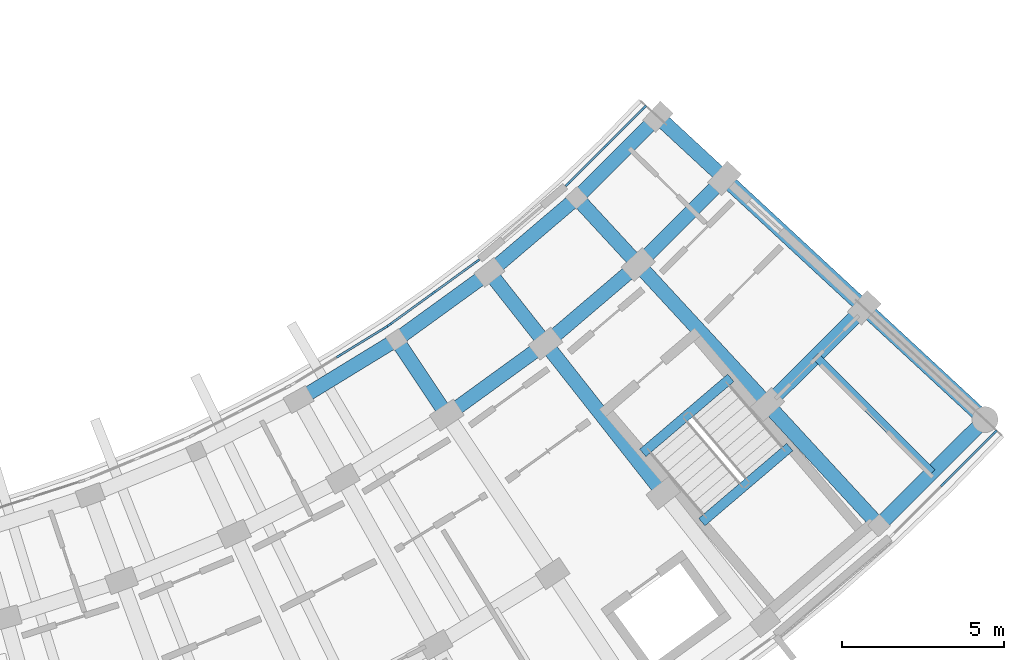
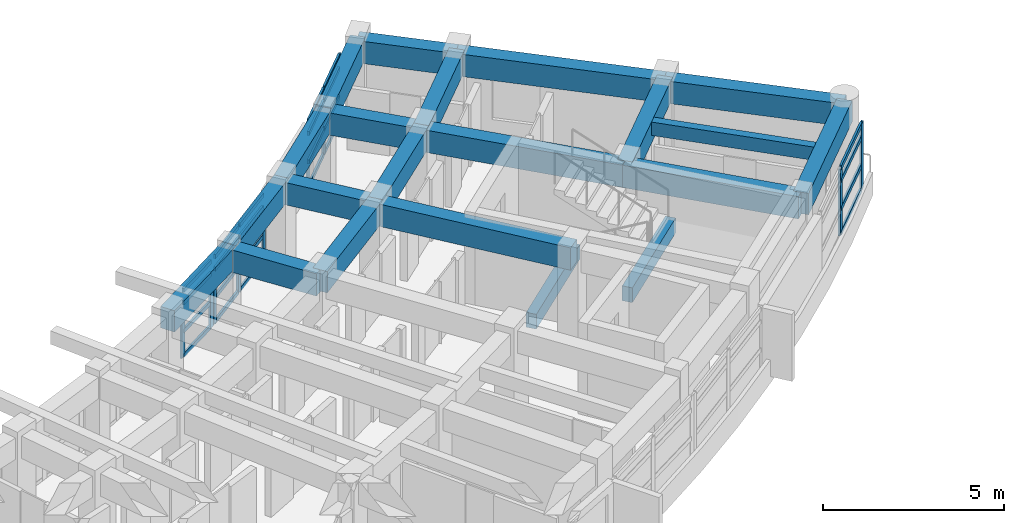
# One storey, part 30 of 70: 34 members, 21 beams, 4 elements without a shape of their own.
"""IFC4 building model written with IfcOpenShell, lengths in metres."""

from ifc_helpers import new_model, si_unit, direction, frame, origin, origin_2d, place, context, subcontext, project, spatial, rectangle, extrude, material, material_profile, profile_set, type_object, element, aggregate, save


model = new_model("IFC4")

# Units and contexts
model_context = context("Model", 3, precision=1e-05, world=origin(), true_north=direction((0.0, 1.0)))
body_context = subcontext(model_context, "Body", "Model", "MODEL_VIEW")
ifc_project = project(units=[si_unit("LENGTHUNIT", "METRE"), si_unit("AREAUNIT", "SQUARE_METRE"), si_unit("VOLUMEUNIT", "CUBIC_METRE"), si_unit("PLANEANGLEUNIT", "RADIAN"), si_unit("MASSUNIT", "GRAM", prefix="KILO")], contexts=[model_context])

# Site, building, storey
site_placement = place(None, origin())
site = spatial("IfcSite", under=ifc_project, at=site_placement, CompositionType="ELEMENT")
building_placement = place(site_placement, origin())
building = spatial("IfcBuilding", under=site, at=building_placement, Name="Zimvara Arc Housing Community", CompositionType="ELEMENT")
storey_placement = place(building_placement, frame((0.0, 0.0, 8.10009765625)))
storey = spatial("IfcBuildingStorey", under=building, at=storey_placement, Name="L02", CompositionType="ELEMENT", Elevation=8.10009765625)

# Beams
ifc_material_1 = material(Name="Concrete C40/50", Category="concrete")
ifc_material_profile_1 = material_profile(ifc_material_1, rectangle(XDim=0.25, YDim=0.449951171875, at=origin_2d()), Name="RC 250x450")
ifc_profile_set_1 = profile_set([ifc_material_profile_1], Name="Concrete C40/50")
beam_type_1 = type_object("IfcBeamType", Name="BM-RC-250x450", PredefinedType="JOIST", material=ifc_profile_set_1)
beam_1_placement = place(storey_placement, frame((163.959716796875, 71.813720703125, 2.65478515625), z_axis=(0.706529394337, -0.707683696956, 0.0), x_axis=(0.707683696956, 0.706529394337, 0.0)))
element("IfcBeam", 1, at=beam_1_placement, inside=storey, type_object=beam_type_1, Name="bm:blkD:L02:joist:b9", PredefinedType="JOIST", context=body_context, shape_type="SweptSolid", body=[
    extrude(rectangle(XDim=0.25, YDim=0.449951171875, at=origin_2d()), origin(), (0.0, 0.0, 1.0), 5.076171875),
])
ifc_material_2 = material(Name="Concrete C40/50", Category="concrete")
ifc_material_profile_2 = material_profile(ifc_material_2, rectangle(XDim=0.300048828125, YDim=0.5, at=origin_2d()), Name="RC 300x500")
ifc_profile_set_2 = profile_set([ifc_material_profile_2], Name="Concrete C40/50")
beam_type_2 = type_object("IfcBeamType", Name="BM-RC-300x500", PredefinedType="BEAM", material=ifc_profile_set_2)
for number, where, z_axis, x_axis, name in (
    (2, (158.617919921875, 68.826904296875, -0.25), (0.760986863652, 0.648767287515, 0.0), (-0.648767287515, 0.760986863652, 0.0), "bm:stair_trim:ST-D2:L02:near"),
    (3, (160.439697265625, 66.690185546875, 1.2998046875), (0.760986863652, 0.648767287515, 0.0), (-0.648767287515, 0.760986863652, 0.0), "bm:stair_trim:ST-D2:L02:mid"),
):
    element("IfcBeam", number, at=place(storey_placement, frame(where, z_axis=z_axis, x_axis=x_axis)), inside=storey, type_object=beam_type_2, Name=name, PredefinedType="BEAM", context=body_context, shape_type="SweptSolid", body=[
        extrude(rectangle(XDim=0.300048828125, YDim=0.5, at=origin_2d()), origin(), (0.0, 0.0, 1.0), 3.570068359375),
    ])
ifc_material_3 = material(Name="Concrete C40/50", Category="concrete")
ifc_material_profile_3 = material_profile(ifc_material_3, rectangle(XDim=0.43994140625, YDim=0.719970703125, at=origin_2d()), Name="RC 440x720")
ifc_profile_set_3 = profile_set([ifc_material_profile_3], Name="Concrete C40/50")
beam_type_3 = type_object("IfcBeamType", Name="BM-RC-440x720", PredefinedType="BEAM", material=ifc_profile_set_3)
beam_2_placement = place(storey_placement, frame((147.9921875, 70.473876953125, 2.52001953125), z_axis=(0.853114855616, 0.52172314797, 0.0), x_axis=(-0.52172314797, 0.853114855616, 0.0)))
element("IfcBeam", 4, at=beam_2_placement, inside=storey, type_object=beam_type_3, Name="bm:blkD:L02:chord:r0:b6", PredefinedType="BEAM", context=body_context, shape_type="SweptSolid", body=[
    extrude(rectangle(XDim=0.43994140625, YDim=0.719970703125, at=origin_2d()), origin(), (0.0, 0.0, 1.0), 3.54296875),
])
beam_3_placement = place(storey_placement, frame((151.0146484375, 72.322265625, 2.52001953125), z_axis=(0.809531019898, 0.587077105517, 0.0), x_axis=(-0.587077105517, 0.809531019898, 0.0)))
element("IfcBeam", 5, at=beam_3_placement, inside=storey, type_object=beam_type_3, Name="bm:blkD:L02:chord:r0:b7", PredefinedType="BEAM", context=body_context, shape_type="SweptSolid", body=[
    extrude(rectangle(XDim=0.43994140625, YDim=0.719970703125, at=origin_2d()), origin(), (0.0, 0.0, 1.0), 3.542724609375),
])
beam_4_placement = place(storey_placement, frame((153.882568359375, 74.402099609375, 2.52001953125), z_axis=(0.760971029961, 0.648785859556, 0.0), x_axis=(-0.648785859556, 0.760971029961, 0.0)))
element("IfcBeam", 6, at=beam_4_placement, inside=storey, type_object=beam_type_3, Name="bm:blkD:L02:chord:r0:b8", PredefinedType="BEAM", context=body_context, shape_type="SweptSolid", body=[
    extrude(rectangle(XDim=0.43994140625, YDim=0.719970703125, at=origin_2d()), origin(), (0.0, 0.0, 1.0), 3.54296875),
])
beam_5_placement = place(storey_placement, frame((156.57861328125, 76.70068359375, 2.52001953125), z_axis=(0.70772671761, 0.706486300773, 0.0), x_axis=(-0.706486300773, 0.70772671761, 0.0)))
element("IfcBeam", 7, at=beam_5_placement, inside=storey, type_object=beam_type_3, Name="bm:blkD:L02:chord:r0:b9", PredefinedType="BEAM", context=body_context, shape_type="SweptSolid", body=[
    extrude(rectangle(XDim=0.43994140625, YDim=0.719970703125, at=origin_2d()), origin(), (0.0, 0.0, 1.0), 3.542724609375),
])
for number, where, z_axis, x_axis, name in (
    (8, (152.568115234375, 69.99267578125, 2.52001953125), (0.809521012702, 0.58709090437, 0.0), (-0.58709090437, 0.809521012702, 0.0), "bm:blkD:L02:chord:r1:b7"),
    (9, (155.614013671875, 72.20166015625, 2.52001953125), (0.760971502801, 0.648785304955, 0.0), (-0.648785304955, 0.760971502801, 0.0), "bm:blkD:L02:chord:r1:b8"),
):
    element("IfcBeam", number, at=place(storey_placement, frame(where, z_axis=z_axis, x_axis=x_axis)), inside=storey, type_object=beam_type_3, Name=name, PredefinedType="BEAM", context=body_context, shape_type="SweptSolid", body=[
        extrude(rectangle(XDim=0.43994140625, YDim=0.719970703125, at=origin_2d()), origin(), (0.0, 0.0, 1.0), 3.7626953125),
    ])
beam_6_placement = place(storey_placement, frame((158.477294921875, 74.642822265625, 2.52001953125), z_axis=(0.707722882862, 0.706490142234, 0.0), x_axis=(-0.706490142234, 0.707722882862, 0.0)))
element("IfcBeam", 10, at=beam_6_placement, inside=storey, type_object=beam_type_3, Name="bm:blkD:L02:chord:r1:b9", PredefinedType="BEAM", context=body_context, shape_type="SweptSolid", body=[
    extrude(rectangle(XDim=0.43994140625, YDim=0.719970703125, at=origin_2d()), origin(), (0.0, 0.0, 1.0), 3.762939453125),
])
beam_7_placement = place(storey_placement, frame((162.465087890625, 70.321533203125, 2.52001953125), z_axis=(0.707684482516, 0.706528607493, 0.0), x_axis=(-0.706528607493, 0.707684482516, 0.0)))
element("IfcBeam", 11, at=beam_7_placement, inside=storey, type_object=beam_type_3, Name="bm:blkD:L02:chord:r2:b9", PredefinedType="BEAM", context=body_context, shape_type="SweptSolid", body=[
    extrude(rectangle(XDim=0.43994140625, YDim=0.719970703125, at=origin_2d()), origin(), (0.0, 0.0, 1.0), 4.224365234375),
])
beam_8_placement = place(storey_placement, frame((165.91015625, 66.588134765625, 2.52001953125), z_axis=(0.707713796096, 0.706499244738, 0.0), x_axis=(-0.706499244738, 0.707713796096, 0.0)))
element("IfcBeam", 12, at=beam_8_placement, inside=storey, type_object=beam_type_3, Name="bm:blkD:L02:chord:r3:b9", PredefinedType="BEAM", context=body_context, shape_type="SweptSolid", body=[
    extrude(rectangle(XDim=0.43994140625, YDim=0.719970703125, at=origin_2d()), origin(), (0.0, 0.0, 1.0), 4.623291015625),
])
ifc_material_4 = material(Name="Concrete C40/50", Category="concrete")
ifc_material_profile_4 = material_profile(ifc_material_4, rectangle(XDim=0.449951171875, YDim=0.75, at=origin_2d()), Name="RC 450x750")
ifc_profile_set_4 = profile_set([ifc_material_profile_4], Name="Concrete C40/50")
beam_type_4 = type_object("IfcBeamType", Name="BM-RC-450x750", PredefinedType="BEAM", material=ifc_profile_set_4)
for number, where, z_axis, x_axis, name in (
    (13, (151.0146484375, 72.322265625, 2.5048828125), (0.55480079798, -0.831983217716, 0.0), (0.831983217716, 0.55480079798, 0.0), "bm:blkD:L02:rad:b7:r01"),
    (14, (153.882568359375, 74.402099609375, 2.5048828125), (0.618379767762, -0.785879420028, 0.0), (0.785879420028, 0.618379767762, 0.0), "bm:blkD:L02:rad:b8:r01"),
):
    element("IfcBeam", number, at=place(storey_placement, frame(where, z_axis=z_axis, x_axis=x_axis)), inside=storey, type_object=beam_type_4, Name=name, PredefinedType="BEAM", context=body_context, shape_type="SweptSolid", body=[
        extrude(rectangle(XDim=0.449951171875, YDim=0.75, at=origin_2d()), origin(), (0.0, 0.0, 1.0), 2.800048828125),
    ])
beam_9_placement = place(storey_placement, frame((155.614013671875, 72.20166015625, 2.5048828125), z_axis=(0.618431976389, -0.785838336161, 0.0), x_axis=(0.785838336161, 0.618431976389, 0.0)))
element("IfcBeam", 15, at=beam_9_placement, inside=storey, type_object=beam_type_4, Name="bm:blkD:L02:rad:b8:r12", PredefinedType="BEAM", context=body_context, shape_type="SweptSolid", body=[
    extrude(rectangle(XDim=0.449951171875, YDim=0.75, at=origin_2d()), origin(), (0.0, 0.0, 1.0), 5.880126953125),
])
beam_10_placement = place(storey_placement, frame((156.57861328125, 76.70068359375, 2.5048828125), z_axis=(0.678109874626, -0.734960541754, 0.0), x_axis=(0.734960541754, 0.678109874626, 0.0)))
element("IfcBeam", 16, at=beam_10_placement, inside=storey, type_object=beam_type_4, Name="bm:blkD:L02:rad:b9:r01", PredefinedType="BEAM", context=body_context, shape_type="SweptSolid", body=[
    extrude(rectangle(XDim=0.449951171875, YDim=0.75, at=origin_2d()), origin(), (0.0, 0.0, 1.0), 2.800048828125),
])
beam_11_placement = place(storey_placement, frame((158.477294921875, 74.642822265625, 2.5048828125), z_axis=(0.678180078146, -0.734895762409, 0.0), x_axis=(0.734895762409, 0.678180078146, 0.0)))
element("IfcBeam", 17, at=beam_11_placement, inside=storey, type_object=beam_type_4, Name="bm:blkD:L02:rad:b9:r12", PredefinedType="BEAM", context=body_context, shape_type="SweptSolid", body=[
    extrude(rectangle(XDim=0.449951171875, YDim=0.75, at=origin_2d()), origin(), (0.0, 0.0, 1.0), 5.880126953125),
])
beam_12_placement = place(storey_placement, frame((162.465087890625, 70.321533203125, 2.5048828125), z_axis=(0.678158334116, -0.734915827744, 0.0), x_axis=(0.734915827744, 0.678158334116, 0.0)))
element("IfcBeam", 18, at=beam_12_placement, inside=storey, type_object=beam_type_4, Name="bm:blkD:L02:rad:b9:r23", PredefinedType="BEAM", context=body_context, shape_type="SweptSolid", body=[
    extrude(rectangle(XDim=0.449951171875, YDim=0.75, at=origin_2d()), origin(), (0.0, 0.0, 1.0), 5.080078125),
])
beam_13_placement = place(storey_placement, frame((159.0859375, 79.20361328125, 2.5048828125), z_axis=(0.733746184278, -0.679423680083, 0.0), x_axis=(0.679423680083, 0.733746184278, 0.0)))
element("IfcBeam", 19, at=beam_13_placement, inside=storey, type_object=beam_type_4, Name="bm:blkD:L02:rad:b10:r01", PredefinedType="BEAM", context=body_context, shape_type="SweptSolid", body=[
    extrude(rectangle(XDim=0.449951171875, YDim=0.75, at=origin_2d()), origin(), (0.0, 0.0, 1.0), 2.800048828125),
])
beam_14_placement = place(storey_placement, frame((161.140380859375, 77.30126953125, 2.5048828125), z_axis=(0.733720040868, -0.679451912668, 0.0), x_axis=(0.679451912668, 0.733720040868, 0.0)))
element("IfcBeam", 20, at=beam_14_placement, inside=storey, type_object=beam_type_4, Name="bm:blkD:L02:rad:b10:r12", PredefinedType="BEAM", context=body_context, shape_type="SweptSolid", body=[
    extrude(rectangle(XDim=0.449951171875, YDim=0.75, at=origin_2d()), origin(), (0.0, 0.0, 1.0), 5.8798828125),
])
beam_15_placement = place(storey_placement, frame((165.45458984375, 73.30615234375, 2.5048828125), z_axis=(0.733737603291, -0.679432947035, 0.0), x_axis=(0.679432947035, 0.733737603291, 0.0)))
element("IfcBeam", 21, at=beam_15_placement, inside=storey, type_object=beam_type_4, Name="bm:blkD:L02:rad:b10:r23", PredefinedType="BEAM", context=body_context, shape_type="SweptSolid", body=[
    extrude(rectangle(XDim=0.449951171875, YDim=0.75, at=origin_2d()), origin(), (0.0, 0.0, 1.0), 5.080322265625),
])

# Curtain wall, members
ifc_material_5 = material(Name="Anodised Aluminium AW-6063", Category="aluminium")
curtain_wall_type_1 = type_object("IfcCurtainWallType", Name="CW-SYS-06", PredefinedType="USERDEFINED", material=ifc_material_5)
curtain_wall_1_placement = place(storey_placement, origin())
curtain_wall_1 = element("IfcCurtainWall", 22, at=curtain_wall_1_placement, inside=storey, type_object=curtain_wall_type_1, Name="cw:blkD:L02:in:b6", ObjectType="CURTAIN WALL", PredefinedType="USERDEFINED")
ifc_material_6 = material(Name="Anodised Aluminium AW-6063", Category="aluminium")
ifc_material_profile_5 = material_profile(ifc_material_6, rectangle(XDim=0.06494140625, YDim=0.179931640625, at=origin_2d()), Name="ALU 65x180")
ifc_profile_set_5 = profile_set([ifc_material_profile_5], Name="Anodised Aluminium AW-6063")
member_type_1 = type_object("IfcMemberType", Name="CWM-65x150", PredefinedType="MULLION", material=ifc_profile_set_5)
member_1_placement = place(storey_placement, frame((149.24267578125, 71.82421875, 0.0), z_axis=(0.0, 0.0, 1.0), x_axis=(-0.521754224526, 0.853095849943, 0.0)))
member_1 = element("IfcMember", 23, at=member_1_placement, type_object=member_type_1, Name="CW06 mullion 2", PredefinedType="MULLION", context=body_context, shape_type="SweptSolid", body=[
    extrude(rectangle(XDim=0.06494140625, YDim=0.179931640625, at=origin_2d()), origin(), (0.0, 0.0, 1.0), 2.25),
])
member_2_placement = place(storey_placement, frame((150.658203125, 72.68994140625, 0.0), z_axis=(0.0, 0.0, 1.0), x_axis=(-0.521754224526, 0.853095849943, 0.0)))
member_2 = element("IfcMember", 24, at=member_2_placement, type_object=member_type_1, Name="CW06 mullion 3", PredefinedType="MULLION", context=body_context, shape_type="SweptSolid", body=[
    extrude(rectangle(XDim=0.06494140625, YDim=0.179931640625, at=origin_2d()), origin(), (0.0, 0.0, 1.0), 2.25),
])

ifc_material_7 = material(Name="Anodised Aluminium AW-6063", Category="aluminium")
curtain_wall_type_2 = type_object("IfcCurtainWallType", Name="CW-SYS-08", PredefinedType="USERDEFINED", material=ifc_material_7)
curtain_wall_2_placement = place(storey_placement, origin())
curtain_wall_2 = element("IfcCurtainWall", 25, at=curtain_wall_2_placement, inside=storey, type_object=curtain_wall_type_2, Name="cw:blkD:L02:in:b7", ObjectType="CURTAIN WALL", PredefinedType="USERDEFINED")
member_3_placement = place(storey_placement, frame((150.81201171875, 72.79248046875, 0.0), z_axis=(0.0, 0.0, 1.0), x_axis=(-0.587079343755, 0.809529396709, 0.0)))
member_3 = element("IfcMember", 26, at=member_3_placement, type_object=member_type_1, Name="CW08 mullion 1", PredefinedType="MULLION", context=body_context, shape_type="SweptSolid", body=[
    extrude(rectangle(XDim=0.06494140625, YDim=0.179931640625, at=origin_2d()), origin(), (0.0, 0.0, 1.0), 2.25),
])
member_4_placement = place(storey_placement, frame((152.1552734375, 73.7666015625, 0.0), z_axis=(0.0, 0.0, 1.0), x_axis=(-0.587079343755, 0.809529396709, 0.0)))
member_4 = element("IfcMember", 27, at=member_4_placement, type_object=member_type_1, Name="CW08 mullion 2", PredefinedType="MULLION", context=body_context, shape_type="SweptSolid", body=[
    extrude(rectangle(XDim=0.06494140625, YDim=0.179931640625, at=origin_2d()), origin(), (0.0, 0.0, 1.0), 2.25),
])
member_5_placement = place(storey_placement, frame((153.49853515625, 74.74072265625, 0.0), z_axis=(0.0, 0.0, 1.0), x_axis=(-0.587079343755, 0.809529396709, 0.0)))
member_5 = element("IfcMember", 28, at=member_5_placement, type_object=member_type_1, Name="CW08 mullion 3", PredefinedType="MULLION", context=body_context, shape_type="SweptSolid", body=[
    extrude(rectangle(XDim=0.06494140625, YDim=0.179931640625, at=origin_2d()), origin(), (0.0, 0.0, 1.0), 2.25),
])

ifc_material_8 = material(Name="Anodised Aluminium AW-6063", Category="aluminium")
curtain_wall_type_3 = type_object("IfcCurtainWallType", Name="CW-SYS-02", PredefinedType="USERDEFINED", material=ifc_material_8)
curtain_wall_3_placement = place(storey_placement, origin())
curtain_wall_3 = element("IfcCurtainWall", 29, at=curtain_wall_3_placement, inside=storey, type_object=curtain_wall_type_3, Name="cw:blkD:L02:in:b9", ObjectType="CURTAIN WALL", PredefinedType="USERDEFINED")
member_6_placement = place(storey_placement, frame((156.304931640625, 77.133544921875, 0.0), z_axis=(0.0, 0.0, 1.0), x_axis=(-0.706490294632, 0.707722730729, 0.0)))
member_6 = element("IfcMember", 30, at=member_6_placement, type_object=member_type_1, Name="CW02 mullion 1", PredefinedType="MULLION", context=body_context, shape_type="SweptSolid", body=[
    extrude(rectangle(XDim=0.06494140625, YDim=0.179931640625, at=origin_2d()), origin(), (0.0, 0.0, 1.0), 2.25),
])
member_7_placement = place(storey_placement, frame((157.479248046875, 78.3056640625, 0.0), z_axis=(0.0, 0.0, 1.0), x_axis=(-0.706490294632, 0.707722730729, 0.0)))
member_7 = element("IfcMember", 31, at=member_7_placement, type_object=member_type_1, Name="CW02 mullion 2", PredefinedType="MULLION", context=body_context, shape_type="SweptSolid", body=[
    extrude(rectangle(XDim=0.06494140625, YDim=0.179931640625, at=origin_2d()), origin(), (0.0, 0.0, 1.0), 2.25),
])
member_8_placement = place(storey_placement, frame((158.653564453125, 79.47802734375, 0.0), z_axis=(0.0, 0.0, 1.0), x_axis=(-0.706490294632, 0.707722730729, 0.0)))
member_8 = element("IfcMember", 32, at=member_8_placement, type_object=member_type_1, Name="CW02 mullion 3", PredefinedType="MULLION", context=body_context, shape_type="SweptSolid", body=[
    extrude(rectangle(XDim=0.06494140625, YDim=0.179931640625, at=origin_2d()), origin(), (0.0, 0.0, 1.0), 2.25),
])

ifc_material_9 = material(Name="Anodised Aluminium AW-6063", Category="aluminium")
curtain_wall_type_4 = type_object("IfcCurtainWallType", Name="CW-SYS-01", PredefinedType="USERDEFINED", material=ifc_material_9)
curtain_wall_4_placement = place(storey_placement, origin())
curtain_wall_4 = element("IfcCurtainWall", 33, at=curtain_wall_4_placement, inside=storey, type_object=curtain_wall_type_4, Name="cw:blkD:L02:out:b9", ObjectType="CURTAIN WALL", PredefinedType="USERDEFINED")
ifc_material_10 = material(Name="Anodised Aluminium AW-6063", Category="aluminium")
ifc_material_profile_6 = material_profile(ifc_material_10, rectangle(XDim=0.06494140625, YDim=0.195068359375, at=origin_2d()), Name="ALU 65x195")
ifc_profile_set_6 = profile_set([ifc_material_profile_6], Name="Anodised Aluminium AW-6063")
member_type_2 = type_object("IfcMemberType", Name="CWM-65x180", PredefinedType="MULLION", material=ifc_profile_set_6)
member_9_placement = place(storey_placement, frame((167.89892578125, 67.86767578125, 0.0), z_axis=(0.0, 0.0, 1.0), x_axis=(-0.706489010891, 0.707724012233, 0.0)))
member_9 = element("IfcMember", 34, at=member_9_placement, type_object=member_type_2, Name="CW01 mullion 2", PredefinedType="MULLION", context=body_context, shape_type="SweptSolid", body=[
    extrude(rectangle(XDim=0.06494140625, YDim=0.195068359375, at=origin_2d()), origin(), (0.0, 0.0, 1.0), 2.25),
])
member_10_placement = place(storey_placement, frame((169.4833984375, 69.449462890625, 0.0), z_axis=(0.0, 0.0, 1.0), x_axis=(-0.706489010891, 0.707724012233, 0.0)))
member_10 = element("IfcMember", 35, at=member_10_placement, type_object=member_type_2, Name="CW01 mullion 3", PredefinedType="MULLION", context=body_context, shape_type="SweptSolid", body=[
    extrude(rectangle(XDim=0.06494140625, YDim=0.195068359375, at=origin_2d()), origin(), (0.0, 0.0, 1.0), 2.25),
])

# Member
ifc_material_11 = material(Name="Anodised Aluminium AW-6063", Category="aluminium")
ifc_material_profile_7 = material_profile(ifc_material_11, rectangle(XDim=0.06494140625, YDim=0.139892578125, at=origin_2d()), Name="ALU 65x140")
ifc_profile_set_7 = profile_set([ifc_material_profile_7], Name="Anodised Aluminium AW-6063")
member_type_3 = type_object("IfcMemberType", Name="CWT-65x120", PredefinedType="USERDEFINED", material=ifc_profile_set_7)
member_11_placement = place(storey_placement, frame((149.2705078125, 71.841064453125, 0.032470703125), z_axis=(0.853043286851, 0.521840158246, 0.0), x_axis=(-0.521840158246, 0.853043286851, 0.0)))
member_11 = element("IfcMember", 36, at=member_11_placement, type_object=member_type_3, Name="CW06 transom 2.1", ObjectType="TRANSOM", PredefinedType="USERDEFINED", context=body_context, shape_type="SweptSolid", body=[
    extrude(rectangle(XDim=0.06494140625, YDim=0.139892578125, at=origin_2d()), origin(), (0.0, 0.0, 1.0), 1.594482421875),
])

member_12_placement = place(storey_placement, frame((149.2705078125, 71.841064453125, 0.849853515625), z_axis=(0.853043286851, 0.521840158246, 0.0), x_axis=(-0.521840158246, 0.853043286851, 0.0)))
member_12 = element("IfcMember", 37, at=member_12_placement, type_object=member_type_3, Name="CW06 transom 2.2", ObjectType="TRANSOM", PredefinedType="USERDEFINED", context=body_context, shape_type="SweptSolid", body=[
    extrude(rectangle(XDim=0.06494140625, YDim=0.139892578125, at=origin_2d()), origin(), (0.0, 0.0, 1.0), 1.594482421875),
])

member_13_placement = place(storey_placement, frame((149.2705078125, 71.841064453125, 1.7998046875), z_axis=(0.853043286851, 0.521840158246, 0.0), x_axis=(-0.521840158246, 0.853043286851, 0.0)))
member_13 = element("IfcMember", 38, at=member_13_placement, type_object=member_type_3, Name="CW06 transom 2.3", ObjectType="TRANSOM", PredefinedType="USERDEFINED", context=body_context, shape_type="SweptSolid", body=[
    extrude(rectangle(XDim=0.06494140625, YDim=0.139892578125, at=origin_2d()), origin(), (0.0, 0.0, 1.0), 1.594482421875),
])

member_14_placement = place(storey_placement, frame((149.2705078125, 71.841064453125, 2.21728515625), z_axis=(0.853043286851, 0.521840158246, 0.0), x_axis=(-0.521840158246, 0.853043286851, 0.0)))
member_14 = element("IfcMember", 39, at=member_14_placement, type_object=member_type_3, Name="CW06 transom 2.4", ObjectType="TRANSOM", PredefinedType="USERDEFINED", context=body_context, shape_type="SweptSolid", body=[
    extrude(rectangle(XDim=0.06494140625, YDim=0.139892578125, at=origin_2d()), origin(), (0.0, 0.0, 1.0), 1.594482421875),
])

aggregate(curtain_wall_1, [member_1, member_2, member_11, member_12, member_13, member_14])

member_15_placement = place(storey_placement, frame((150.83837890625, 72.8115234375, 0.032470703125), z_axis=(0.809490349774, 0.587133182185, 0.0), x_axis=(-0.587133182185, 0.809490349774, 0.0)))
member_15 = element("IfcMember", 40, at=member_15_placement, type_object=member_type_3, Name="CW08 transom 1.1", ObjectType="TRANSOM", PredefinedType="USERDEFINED", context=body_context, shape_type="SweptSolid", body=[
    extrude(rectangle(XDim=0.06494140625, YDim=0.139892578125, at=origin_2d()), origin(), (0.0, 0.0, 1.0), 1.59423828125),
])

member_16_placement = place(storey_placement, frame((150.83837890625, 72.8115234375, 0.849853515625), z_axis=(0.809490349774, 0.587133182185, 0.0), x_axis=(-0.587133182185, 0.809490349774, 0.0)))
member_16 = element("IfcMember", 41, at=member_16_placement, type_object=member_type_3, Name="CW08 transom 1.2", ObjectType="TRANSOM", PredefinedType="USERDEFINED", context=body_context, shape_type="SweptSolid", body=[
    extrude(rectangle(XDim=0.06494140625, YDim=0.139892578125, at=origin_2d()), origin(), (0.0, 0.0, 1.0), 1.59423828125),
])

member_17_placement = place(storey_placement, frame((150.83837890625, 72.8115234375, 1.7998046875), z_axis=(0.809490349774, 0.587133182185, 0.0), x_axis=(-0.587133182185, 0.809490349774, 0.0)))
member_17 = element("IfcMember", 42, at=member_17_placement, type_object=member_type_3, Name="CW08 transom 1.3", ObjectType="TRANSOM", PredefinedType="USERDEFINED", context=body_context, shape_type="SweptSolid", body=[
    extrude(rectangle(XDim=0.06494140625, YDim=0.139892578125, at=origin_2d()), origin(), (0.0, 0.0, 1.0), 1.59423828125),
])

member_18_placement = place(storey_placement, frame((150.83837890625, 72.8115234375, 2.21728515625), z_axis=(0.809490349774, 0.587133182185, 0.0), x_axis=(-0.587133182185, 0.809490349774, 0.0)))
member_18 = element("IfcMember", 43, at=member_18_placement, type_object=member_type_3, Name="CW08 transom 1.4", ObjectType="TRANSOM", PredefinedType="USERDEFINED", context=body_context, shape_type="SweptSolid", body=[
    extrude(rectangle(XDim=0.06494140625, YDim=0.139892578125, at=origin_2d()), origin(), (0.0, 0.0, 1.0), 1.59423828125),
])

member_19_placement = place(storey_placement, frame((152.181640625, 73.78564453125, 0.032470703125), z_axis=(0.809490349774, 0.587133182185, 0.0), x_axis=(-0.587133182185, 0.809490349774, 0.0)))
member_19 = element("IfcMember", 44, at=member_19_placement, type_object=member_type_3, Name="CW08 transom 2.1", ObjectType="TRANSOM", PredefinedType="USERDEFINED", context=body_context, shape_type="SweptSolid", body=[
    extrude(rectangle(XDim=0.06494140625, YDim=0.139892578125, at=origin_2d()), origin(), (0.0, 0.0, 1.0), 1.59423828125),
])

member_20_placement = place(storey_placement, frame((152.181640625, 73.78564453125, 0.849853515625), z_axis=(0.809490349774, 0.587133182185, 0.0), x_axis=(-0.587133182185, 0.809490349774, 0.0)))
member_20 = element("IfcMember", 45, at=member_20_placement, type_object=member_type_3, Name="CW08 transom 2.2", ObjectType="TRANSOM", PredefinedType="USERDEFINED", context=body_context, shape_type="SweptSolid", body=[
    extrude(rectangle(XDim=0.06494140625, YDim=0.139892578125, at=origin_2d()), origin(), (0.0, 0.0, 1.0), 1.59423828125),
])

member_21_placement = place(storey_placement, frame((152.181640625, 73.78564453125, 1.7998046875), z_axis=(0.809490349774, 0.587133182185, 0.0), x_axis=(-0.587133182185, 0.809490349774, 0.0)))
member_21 = element("IfcMember", 46, at=member_21_placement, type_object=member_type_3, Name="CW08 transom 2.3", ObjectType="TRANSOM", PredefinedType="USERDEFINED", context=body_context, shape_type="SweptSolid", body=[
    extrude(rectangle(XDim=0.06494140625, YDim=0.139892578125, at=origin_2d()), origin(), (0.0, 0.0, 1.0), 1.59423828125),
])

member_22_placement = place(storey_placement, frame((152.181640625, 73.78564453125, 2.21728515625), z_axis=(0.809490349774, 0.587133182185, 0.0), x_axis=(-0.587133182185, 0.809490349774, 0.0)))
member_22 = element("IfcMember", 47, at=member_22_placement, type_object=member_type_3, Name="CW08 transom 2.4", ObjectType="TRANSOM", PredefinedType="USERDEFINED", context=body_context, shape_type="SweptSolid", body=[
    extrude(rectangle(XDim=0.06494140625, YDim=0.139892578125, at=origin_2d()), origin(), (0.0, 0.0, 1.0), 1.59423828125),
])

aggregate(curtain_wall_2, [member_3, member_4, member_5, member_15, member_16, member_17, member_18, member_19, member_20, member_21, member_22])

member_23_placement = place(storey_placement, frame((156.327880859375, 77.156494140625, 0.032470703125), z_axis=(0.707795558339, 0.706417332457, 0.0), x_axis=(-0.706417332457, 0.707795558339, 0.0)))
member_23 = element("IfcMember", 48, at=member_23_placement, type_object=member_type_3, Name="CW02 transom 1.1", ObjectType="TRANSOM", PredefinedType="USERDEFINED", context=body_context, shape_type="SweptSolid", body=[
    extrude(rectangle(XDim=0.06494140625, YDim=0.139892578125, at=origin_2d()), origin(), (0.0, 0.0, 1.0), 1.59423828125),
])

member_24_placement = place(storey_placement, frame((156.327880859375, 77.156494140625, 0.849853515625), z_axis=(0.707795558339, 0.706417332457, 0.0), x_axis=(-0.706417332457, 0.707795558339, 0.0)))
member_24 = element("IfcMember", 49, at=member_24_placement, type_object=member_type_3, Name="CW02 transom 1.2", ObjectType="TRANSOM", PredefinedType="USERDEFINED", context=body_context, shape_type="SweptSolid", body=[
    extrude(rectangle(XDim=0.06494140625, YDim=0.139892578125, at=origin_2d()), origin(), (0.0, 0.0, 1.0), 1.59423828125),
])

member_25_placement = place(storey_placement, frame((156.327880859375, 77.156494140625, 1.7998046875), z_axis=(0.707795558339, 0.706417332457, 0.0), x_axis=(-0.706417332457, 0.707795558339, 0.0)))
member_25 = element("IfcMember", 50, at=member_25_placement, type_object=member_type_3, Name="CW02 transom 1.3", ObjectType="TRANSOM", PredefinedType="USERDEFINED", context=body_context, shape_type="SweptSolid", body=[
    extrude(rectangle(XDim=0.06494140625, YDim=0.139892578125, at=origin_2d()), origin(), (0.0, 0.0, 1.0), 1.59423828125),
])

member_26_placement = place(storey_placement, frame((156.327880859375, 77.156494140625, 2.21728515625), z_axis=(0.707795558339, 0.706417332457, 0.0), x_axis=(-0.706417332457, 0.707795558339, 0.0)))
member_26 = element("IfcMember", 51, at=member_26_placement, type_object=member_type_3, Name="CW02 transom 1.4", ObjectType="TRANSOM", PredefinedType="USERDEFINED", context=body_context, shape_type="SweptSolid", body=[
    extrude(rectangle(XDim=0.06494140625, YDim=0.139892578125, at=origin_2d()), origin(), (0.0, 0.0, 1.0), 1.59423828125),
])

member_27_placement = place(storey_placement, frame((157.502197265625, 78.32861328125, 0.032470703125), z_axis=(0.707718994505, 0.706494037354, 0.0), x_axis=(-0.706494037354, 0.707718994505, 0.0)))
member_27 = element("IfcMember", 52, at=member_27_placement, type_object=member_type_3, Name="CW02 transom 2.1", ObjectType="TRANSOM", PredefinedType="USERDEFINED", context=body_context, shape_type="SweptSolid", body=[
    extrude(rectangle(XDim=0.06494140625, YDim=0.139892578125, at=origin_2d()), origin(), (0.0, 0.0, 1.0), 1.594482421875),
])

member_28_placement = place(storey_placement, frame((157.502197265625, 78.32861328125, 0.849853515625), z_axis=(0.707718994505, 0.706494037354, 0.0), x_axis=(-0.706494037354, 0.707718994505, 0.0)))
member_28 = element("IfcMember", 53, at=member_28_placement, type_object=member_type_3, Name="CW02 transom 2.2", ObjectType="TRANSOM", PredefinedType="USERDEFINED", context=body_context, shape_type="SweptSolid", body=[
    extrude(rectangle(XDim=0.06494140625, YDim=0.139892578125, at=origin_2d()), origin(), (0.0, 0.0, 1.0), 1.594482421875),
])

member_29_placement = place(storey_placement, frame((157.502197265625, 78.32861328125, 1.7998046875), z_axis=(0.707718994505, 0.706494037354, 0.0), x_axis=(-0.706494037354, 0.707718994505, 0.0)))
member_29 = element("IfcMember", 54, at=member_29_placement, type_object=member_type_3, Name="CW02 transom 2.3", ObjectType="TRANSOM", PredefinedType="USERDEFINED", context=body_context, shape_type="SweptSolid", body=[
    extrude(rectangle(XDim=0.06494140625, YDim=0.139892578125, at=origin_2d()), origin(), (0.0, 0.0, 1.0), 1.594482421875),
])

member_30_placement = place(storey_placement, frame((157.502197265625, 78.32861328125, 2.21728515625), z_axis=(0.707718994505, 0.706494037354, 0.0), x_axis=(-0.706494037354, 0.707718994505, 0.0)))
member_30 = element("IfcMember", 55, at=member_30_placement, type_object=member_type_3, Name="CW02 transom 2.4", ObjectType="TRANSOM", PredefinedType="USERDEFINED", context=body_context, shape_type="SweptSolid", body=[
    extrude(rectangle(XDim=0.06494140625, YDim=0.139892578125, at=origin_2d()), origin(), (0.0, 0.0, 1.0), 1.594482421875),
])

aggregate(curtain_wall_3, [member_6, member_7, member_8, member_23, member_24, member_25, member_26, member_27, member_28, member_29, member_30])

ifc_material_12 = material(Name="Anodised Aluminium AW-6063", Category="aluminium")
ifc_material_profile_8 = material_profile(ifc_material_12, rectangle(XDim=0.06494140625, YDim=0.155029296875, at=origin_2d()), Name="ALU 65x155")
ifc_profile_set_8 = profile_set([ifc_material_profile_8], Name="Anodised Aluminium AW-6063")
member_type_4 = type_object("IfcMemberType", Name="CWT-65x140", PredefinedType="USERDEFINED", material=ifc_profile_set_8)
member_31_placement = place(storey_placement, frame((167.922119140625, 67.890625, 0.032470703125), z_axis=(0.707668110429, 0.706545005985, 0.0), x_axis=(-0.706545005985, 0.707668110429, 0.0)))
member_31 = element("IfcMember", 56, at=member_31_placement, type_object=member_type_4, Name="CW01 transom 2.1", ObjectType="TRANSOM", PredefinedType="USERDEFINED", context=body_context, shape_type="SweptSolid", body=[
    extrude(rectangle(XDim=0.06494140625, YDim=0.155029296875, at=origin_2d()), origin(), (0.0, 0.0, 1.0), 2.173828125),
])

member_32_placement = place(storey_placement, frame((167.922119140625, 67.890625, 0.849853515625), z_axis=(0.707668110429, 0.706545005985, 0.0), x_axis=(-0.706545005985, 0.707668110429, 0.0)))
member_32 = element("IfcMember", 57, at=member_32_placement, type_object=member_type_4, Name="CW01 transom 2.2", ObjectType="TRANSOM", PredefinedType="USERDEFINED", context=body_context, shape_type="SweptSolid", body=[
    extrude(rectangle(XDim=0.06494140625, YDim=0.155029296875, at=origin_2d()), origin(), (0.0, 0.0, 1.0), 2.173828125),
])

member_33_placement = place(storey_placement, frame((167.922119140625, 67.890625, 1.7998046875), z_axis=(0.707668110429, 0.706545005985, 0.0), x_axis=(-0.706545005985, 0.707668110429, 0.0)))
member_33 = element("IfcMember", 58, at=member_33_placement, type_object=member_type_4, Name="CW01 transom 2.3", ObjectType="TRANSOM", PredefinedType="USERDEFINED", context=body_context, shape_type="SweptSolid", body=[
    extrude(rectangle(XDim=0.06494140625, YDim=0.155029296875, at=origin_2d()), origin(), (0.0, 0.0, 1.0), 2.173828125),
])

member_34_placement = place(storey_placement, frame((167.922119140625, 67.890625, 2.21728515625), z_axis=(0.707668110429, 0.706545005985, 0.0), x_axis=(-0.706545005985, 0.707668110429, 0.0)))
member_34 = element("IfcMember", 59, at=member_34_placement, type_object=member_type_4, Name="CW01 transom 2.4", ObjectType="TRANSOM", PredefinedType="USERDEFINED", context=body_context, shape_type="SweptSolid", body=[
    extrude(rectangle(XDim=0.06494140625, YDim=0.155029296875, at=origin_2d()), origin(), (0.0, 0.0, 1.0), 2.173828125),
])

aggregate(curtain_wall_4, [member_9, member_10, member_31, member_32, member_33, member_34])

save(model, "model.ifc")
